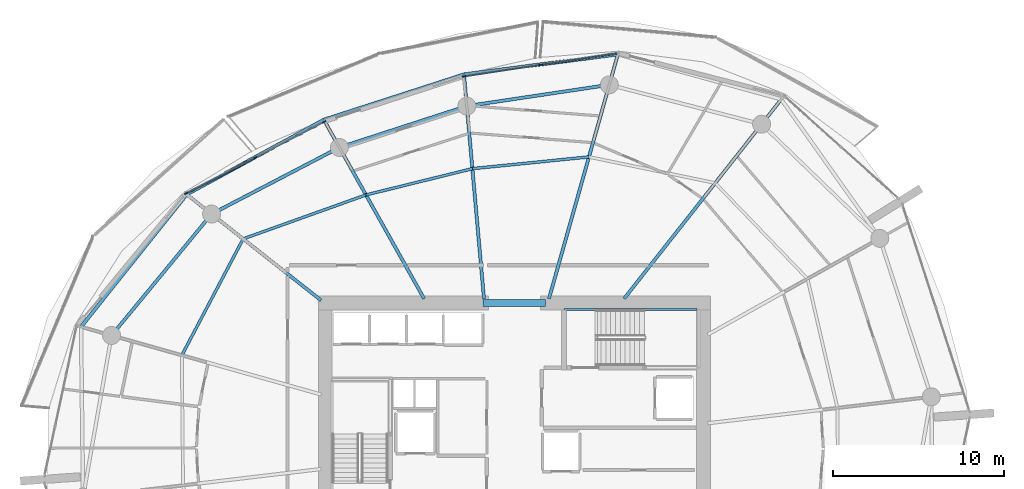
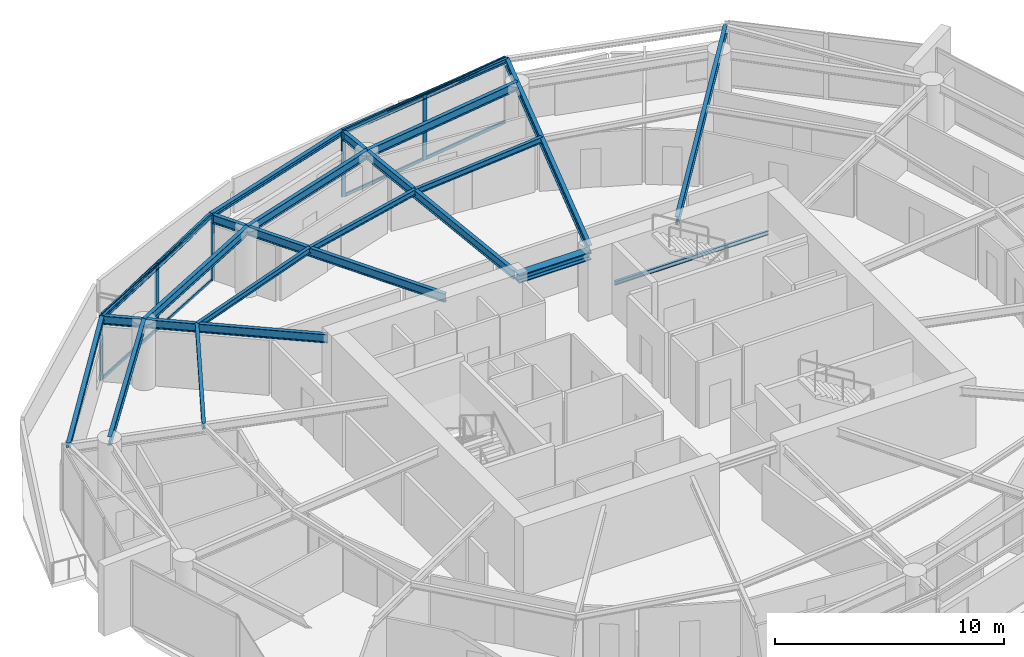
# One storey, part 8 of 20: 19 beams, 13 members, 2 elements without a shape of their own.
"""IFC4 building model written with IfcOpenShell, lengths in metres."""

from ifc_helpers import new_model, si_unit, direction, frame, origin, origin_2d, place, context, subcontext, project, spatial, rectangle, i_section, extrude, material, layer, layer_set, material_profile, profile_set, type_object, element, aggregate, save


model = new_model("IFC4")

# Units and contexts
model_context = context("Model", 3, precision=1e-05, world=origin(), true_north=direction((0.0, 1.0)))
body_context = subcontext(model_context, "Body", "Model", "MODEL_VIEW")
ifc_project = project(units=[si_unit("LENGTHUNIT", "METRE"), si_unit("AREAUNIT", "SQUARE_METRE"), si_unit("VOLUMEUNIT", "CUBIC_METRE"), si_unit("PLANEANGLEUNIT", "RADIAN"), si_unit("MASSUNIT", "GRAM", prefix="KILO")], contexts=[model_context])

# Site, building, storey
site_placement = place(None, origin())
site = spatial("IfcSite", under=ifc_project, at=site_placement, CompositionType="ELEMENT")
building_placement = place(site_placement, origin())
building = spatial("IfcBuilding", under=site, at=building_placement, Name="Kazma Halo Residences", CompositionType="ELEMENT")
storey_placement = place(building_placement, frame((0.0, 0.0, 150.300048828125)))
storey = spatial("IfcBuildingStorey", under=building, at=storey_placement, Name="L37", CompositionType="ELEMENT", Elevation=150.300048828125)

# Beams
ifc_material_1 = material(Name="Steel S355", Category="steel")
ifc_material_profile_1 = material_profile(ifc_material_1, i_section(OverallWidth=0.201904296875, OverallDepth=0.2470703125, WebThickness=0.00732421875, FlangeThickness=0.010986328125, FilletRadius=0.011962890625, at=origin_2d()), Name="W250x49.1")
ifc_profile_set_1 = profile_set([ifc_material_profile_1], Name="Steel S355")
beam_type_1 = type_object("IfcBeamType", Name="BM-BAL-CANT", PredefinedType="BEAM", material=ifc_profile_set_1)
beam_1_placement = place(storey_placement, frame((54.459228515625, 64.90234375, 3.37646484375), z_axis=(-0.991489228614, -0.130188745839, 0.0), x_axis=(0.130188745839, -0.991489228614, 0.0)))
element("IfcBeam", 1, at=beam_1_placement, inside=storey, type_object=beam_type_1, Name="L37 wave-balcony tie beam 03", PredefinedType="BEAM", context=body_context, shape_type="SweptSolid", body=[
    extrude(i_section(OverallWidth=0.201904296875, OverallDepth=0.2470703125, WebThickness=0.00732421875, FlangeThickness=0.010986328125, FilletRadius=0.011962890625, at=origin_2d()), origin(), (0.0, 0.0, 1.0), 9.053955078125),
])
beam_2_placement = place(storey_placement, frame((45.482421875, 63.7236328125, 3.37646484375), z_axis=(-0.951458235255, -0.307777885115, 0.0), x_axis=(0.307777885115, -0.951458235255, 0.0)))
element("IfcBeam", 2, at=beam_2_placement, inside=storey, type_object=beam_type_1, Name="L37 wave-balcony tie beam 04", PredefinedType="BEAM", context=body_context, shape_type="SweptSolid", body=[
    extrude(i_section(OverallWidth=0.201904296875, OverallDepth=0.2470703125, WebThickness=0.00732421875, FlangeThickness=0.010986328125, FilletRadius=0.011962890625, at=origin_2d()), origin(), (0.0, 0.0, 1.0), 8.585205078125),
])
beam_3_placement = place(storey_placement, frame((37.31396484375, 61.081298828125, 3.37646484375), z_axis=(-0.878572913315, -0.477608245312, 0.0), x_axis=(0.477608245312, -0.878572913315, 0.0)))
element("IfcBeam", 3, at=beam_3_placement, inside=storey, type_object=beam_type_1, Name="L37 wave-balcony tie beam 05", PredefinedType="BEAM", context=body_context, shape_type="SweptSolid", body=[
    extrude(i_section(OverallWidth=0.201904296875, OverallDepth=0.2470703125, WebThickness=0.00732421875, FlangeThickness=0.010986328125, FilletRadius=0.011962890625, at=origin_2d()), origin(), (0.0, 0.0, 1.0), 9.107177734375),
])
beam_4_placement = place(storey_placement, frame((29.312744140625, 56.731689453125, 3.37646484375), z_axis=(-0.623742400336, -0.781629975131, 0.0), x_axis=(0.781629975131, -0.623742400336, 0.0)))
element("IfcBeam", 4, at=beam_4_placement, inside=storey, type_object=beam_type_1, Name="L37 wave-balcony tie beam 06", PredefinedType="BEAM", context=body_context, shape_type="SweptSolid", body=[
    extrude(i_section(OverallWidth=0.201904296875, OverallDepth=0.2470703125, WebThickness=0.00732421875, FlangeThickness=0.010986328125, FilletRadius=0.011962890625, at=origin_2d()), origin(), (0.0, 0.0, 1.0), 9.880859375),
])
ifc_material_profile_2 = material_profile(ifc_material_1, i_section(OverallWidth=0.408935546875, OverallDepth=0.425048828125, WebThickness=0.03271484375, FlangeThickness=0.052490234375, FilletRadius=0.02001953125, at=origin_2d()), Name="W360x421")
ifc_profile_set_2 = profile_set([ifc_material_profile_2], Name="Steel S355")
beam_type_2 = type_object("IfcBeamType", Name="BM-CORE-W360H", PredefinedType="BEAM", material=ifc_profile_set_2)
beam_5_placement = place(storey_placement, frame((46.60009765625, 50.39990234375, 3.287353515625), z_axis=(1.0, 0.0, 0.0), x_axis=(0.0, 1.0, 0.0)))
element("IfcBeam", 5, at=beam_5_placement, inside=storey, type_object=beam_type_2, Name="L37 core coupling beam N", PredefinedType="BEAM", context=body_context, shape_type="SweptSolid", body=[
    extrude(i_section(OverallWidth=0.408935546875, OverallDepth=0.425048828125, WebThickness=0.03271484375, FlangeThickness=0.052490234375, FilletRadius=0.02001953125, at=origin_2d()), origin(), (0.0, 0.0, 1.0), 3.64990234375),
])
ifc_material_profile_3 = material_profile(ifc_material_1, i_section(OverallWidth=0.18994140625, OverallDepth=0.45703125, WebThickness=0.009033203125, FlangeThickness=0.014404296875, FilletRadius=0.01611328125, at=origin_2d()), Name="W460x74")
ifc_profile_set_3 = profile_set([ifc_material_profile_3], Name="Steel S355")
beam_type_3 = type_object("IfcBeamType", Name="BM-RAD-W460", PredefinedType="BEAM", material=ifc_profile_set_3)
beam_6_placement = place(storey_placement, frame((54.819091796875, 50.64990234375, 3.271484375), z_axis=(0.619094498239, 0.785316498139, 0.0), x_axis=(-0.785316498139, 0.619094498239, 0.0)))
element("IfcBeam", 6, at=beam_6_placement, inside=storey, type_object=beam_type_3, Name="L37 radial floor beam 02", PredefinedType="BEAM", context=body_context, shape_type="SweptSolid", body=[
    extrude(i_section(OverallWidth=0.18994140625, OverallDepth=0.45703125, WebThickness=0.009033203125, FlangeThickness=0.014404296875, FilletRadius=0.01611328125, at=origin_2d()), origin(), (0.0, 0.0, 1.0), 14.80517578125),
])
beam_7_placement = place(storey_placement, frame((50.439697265625, 50.64990234375, 3.271484375), z_axis=(0.271435886816, 0.962456523355, 0.0), x_axis=(-0.962456523355, 0.271435886816, 0.0)))
element("IfcBeam", 7, at=beam_7_placement, inside=storey, type_object=beam_type_3, Name="L37 radial floor beam 03", PredefinedType="BEAM", context=body_context, shape_type="SweptSolid", body=[
    extrude(i_section(OverallWidth=0.18994140625, OverallDepth=0.45703125, WebThickness=0.009033203125, FlangeThickness=0.014404296875, FilletRadius=0.01611328125, at=origin_2d()), origin(), (0.0, 0.0, 1.0), 14.808349609375),
])
beam_8_placement = place(storey_placement, frame((46.64990234375, 50.64990234375, 3.271484375), z_axis=(-0.088945777727, 0.996036469525, 0.0), x_axis=(-0.996036469525, -0.088945777727, 0.0)))
element("IfcBeam", 8, at=beam_8_placement, inside=storey, type_object=beam_type_3, Name="L37 radial floor beam 04", PredefinedType="BEAM", context=body_context, shape_type="SweptSolid", body=[
    extrude(i_section(OverallWidth=0.18994140625, OverallDepth=0.45703125, WebThickness=0.009033203125, FlangeThickness=0.014404296875, FilletRadius=0.01611328125, at=origin_2d()), origin(), (0.0, 0.0, 1.0), 13.125732421875),
])
beam_9_placement = place(storey_placement, frame((43.15576171875, 50.64990234375, 3.271484375), z_axis=(-0.488617048735, 0.872498355119, 0.0), x_axis=(-0.872498355119, -0.488617048735, 0.0)))
element("IfcBeam", 9, at=beam_9_placement, inside=storey, type_object=beam_type_3, Name="L37 radial floor beam 05", PredefinedType="BEAM", context=body_context, shape_type="SweptSolid", body=[
    extrude(i_section(OverallWidth=0.18994140625, OverallDepth=0.45703125, WebThickness=0.009033203125, FlangeThickness=0.014404296875, FilletRadius=0.01611328125, at=origin_2d()), origin(), (0.0, 0.0, 1.0), 11.955810546875),
])
beam_10_placement = place(storey_placement, frame((37.14990234375, 50.553466796875, 3.271484375), z_axis=(-0.785321544409, 0.619088097032, 0.0), x_axis=(-0.619088097032, -0.785321544409, 0.0)))
element("IfcBeam", 10, at=beam_10_placement, inside=storey, type_object=beam_type_3, Name="L37 radial floor beam 06", PredefinedType="BEAM", context=body_context, shape_type="SweptSolid", body=[
    extrude(i_section(OverallWidth=0.18994140625, OverallDepth=0.45703125, WebThickness=0.009033203125, FlangeThickness=0.014404296875, FilletRadius=0.01611328125, at=origin_2d()), origin(), (0.0, 0.0, 1.0), 9.9794921875),
])
ifc_material_profile_4 = material_profile(ifc_material_1, i_section(OverallWidth=0.1650390625, OverallDepth=0.31005859375, WebThickness=0.005859375, FlangeThickness=0.009765625, FilletRadius=0.011962890625, at=origin_2d()), Name="W310x38.7")
ifc_profile_set_4 = profile_set([ifc_material_profile_4], Name="Steel S355")
beam_type_4 = type_object("IfcBeamType", Name="BM-SEC-W310B", PredefinedType="JOIST", material=ifc_profile_set_4)
beam_11_placement = place(storey_placement, frame((52.77099609375, 58.91650390625, 3.344970703125), z_axis=(-0.994979001613, -0.100083896557, 0.0), x_axis=(0.100083896557, -0.994979001613, 0.0)))
element("IfcBeam", 11, at=beam_11_placement, inside=storey, type_object=beam_type_4, Name="L37 circumferential floor joist 03", PredefinedType="JOIST", context=body_context, shape_type="SweptSolid", body=[
    extrude(i_section(OverallWidth=0.1650390625, OverallDepth=0.31005859375, WebThickness=0.005859375, FlangeThickness=0.009765625, FilletRadius=0.011962890625, at=origin_2d()), origin(), (0.0, 0.0, 1.0), 6.832763671875),
])
beam_12_placement = place(storey_placement, frame((45.97265625, 58.232666015625, 3.344970703125), z_axis=(-0.970830601663, -0.239766434004, 0.0), x_axis=(0.239766434004, -0.970830601663, 0.0)))
element("IfcBeam", 12, at=beam_12_placement, inside=storey, type_object=beam_type_4, Name="L37 circumferential floor joist 04", PredefinedType="JOIST", context=body_context, shape_type="SweptSolid", body=[
    extrude(i_section(OverallWidth=0.1650390625, OverallDepth=0.31005859375, WebThickness=0.005859375, FlangeThickness=0.009765625, FilletRadius=0.011962890625, at=origin_2d()), origin(), (0.0, 0.0, 1.0), 6.3916015625),
])
beam_13_placement = place(storey_placement, frame((39.767578125, 56.7001953125, 3.344970703125), z_axis=(-0.941534087973, -0.336917736525, 0.0), x_axis=(0.336917736525, -0.941534087973, 0.0)))
element("IfcBeam", 13, at=beam_13_placement, inside=storey, type_object=beam_type_4, Name="L37 circumferential floor joist 05", PredefinedType="JOIST", context=body_context, shape_type="SweptSolid", body=[
    extrude(i_section(OverallWidth=0.1650390625, OverallDepth=0.31005859375, WebThickness=0.005859375, FlangeThickness=0.009765625, FilletRadius=0.011962890625, at=origin_2d()), origin(), (0.0, 0.0, 1.0), 7.60791015625),
])
beam_14_placement = place(storey_placement, frame((32.6044921875, 54.136962890625, 3.344970703125), z_axis=(-0.466019257875, -0.884774576539, 0.0), x_axis=(0.884774576539, -0.466019257875, 0.0)))
element("IfcBeam", 14, at=beam_14_placement, inside=storey, type_object=beam_type_4, Name="L37 circumferential floor joist 06", PredefinedType="JOIST", context=body_context, shape_type="SweptSolid", body=[
    extrude(i_section(OverallWidth=0.1650390625, OverallDepth=0.31005859375, WebThickness=0.005859375, FlangeThickness=0.009765625, FilletRadius=0.011962890625, at=origin_2d()), origin(), (0.0, 0.0, 1.0), 7.670654296875),
])
ifc_material_profile_5 = material_profile(ifc_material_1, i_section(OverallWidth=0.18994140625, OverallDepth=0.45703125, WebThickness=0.009033203125, FlangeThickness=0.014404296875, FilletRadius=0.01611328125, at=origin_2d()), Name="W460x74")
ifc_profile_set_5 = profile_set([ifc_material_profile_5], Name="Steel S355")
beam_type_5 = type_object("IfcBeamType", Name="BM-SPN-W460", PredefinedType="BEAM", material=ifc_profile_set_5)
beam_15_placement = place(storey_placement, frame((53.95703125, 63.121826171875, 3.271484375), z_axis=(-0.989037147603, -0.147666924735, 0.0), x_axis=(0.147666924735, -0.989037147603, 0.0)))
element("IfcBeam", 15, at=beam_15_placement, inside=storey, type_object=beam_type_5, Name="L37 perimeter ring beam 03", PredefinedType="BEAM", context=body_context, shape_type="SweptSolid", body=[
    extrude(i_section(OverallWidth=0.18994140625, OverallDepth=0.45703125, WebThickness=0.009033203125, FlangeThickness=0.014404296875, FilletRadius=0.01611328125, at=origin_2d()), origin(), (0.0, 0.0, 1.0), 8.402099609375),
])
beam_16_placement = place(storey_placement, frame((45.64697265625, 61.881103515625, 3.271484375), z_axis=(-0.95105634578, -0.309017519167, 0.0), x_axis=(0.309017519167, -0.95105634578, 0.0)))
element("IfcBeam", 16, at=beam_16_placement, inside=storey, type_object=beam_type_5, Name="L37 perimeter ring beam 04", PredefinedType="BEAM", context=body_context, shape_type="SweptSolid", body=[
    extrude(i_section(OverallWidth=0.18994140625, OverallDepth=0.45703125, WebThickness=0.009033203125, FlangeThickness=0.014404296875, FilletRadius=0.01611328125, at=origin_2d()), origin(), (0.0, 0.0, 1.0), 7.811279296875),
])
beam_17_placement = place(storey_placement, frame((38.218017578125, 59.46728515625, 3.271484375), z_axis=(-0.886943099021, -0.461878706046, 0.0), x_axis=(0.461878706046, -0.886943099021, 0.0)))
element("IfcBeam", 17, at=beam_17_placement, inside=storey, type_object=beam_type_5, Name="L37 perimeter ring beam 05", PredefinedType="BEAM", context=body_context, shape_type="SweptSolid", body=[
    extrude(i_section(OverallWidth=0.18994140625, OverallDepth=0.45703125, WebThickness=0.009033203125, FlangeThickness=0.014404296875, FilletRadius=0.01611328125, at=origin_2d()), origin(), (0.0, 0.0, 1.0), 8.40234375),
])
beam_18_placement = place(storey_placement, frame((30.765625, 55.58642578125, 3.271484375), z_axis=(-0.636018723515, -0.771673624882, 0.0), x_axis=(0.771673624882, -0.636018723515, 0.0)))
element("IfcBeam", 18, at=beam_18_placement, inside=storey, type_object=beam_type_5, Name="L37 perimeter ring beam 06", PredefinedType="BEAM", context=body_context, shape_type="SweptSolid", body=[
    extrude(i_section(OverallWidth=0.18994140625, OverallDepth=0.45703125, WebThickness=0.009033203125, FlangeThickness=0.014404296875, FilletRadius=0.01611328125, at=origin_2d()), origin(), (0.0, 0.0, 1.0), 9.175048828125),
])
ifc_material_profile_6 = material_profile(ifc_material_1, i_section(OverallWidth=0.133056640625, OverallDepth=0.20703125, WebThickness=0.005859375, FlangeThickness=0.00830078125, FilletRadius=0.010009765625, at=origin_2d()), Name="W200x26.6")
ifc_profile_set_6 = profile_set([ifc_material_profile_6], Name="Steel S355")
beam_type_6 = type_object("IfcBeamType", Name="BM-TRIM-W200", PredefinedType="BEAM", material=ifc_profile_set_6)
beam_19_placement = place(storey_placement, frame((51.31005859375, 50.02001953125, 1.570068359375), z_axis=(1.0, 0.0, 0.0), x_axis=(0.0, 1.0, 0.0)))
element("IfcBeam", 19, at=beam_19_placement, inside=storey, type_object=beam_type_6, Name="L37 ST-02 landing north wall ledger", PredefinedType="BEAM", context=body_context, shape_type="SweptSolid", body=[
    extrude(i_section(OverallWidth=0.133056640625, OverallDepth=0.20703125, WebThickness=0.005859375, FlangeThickness=0.00830078125, FilletRadius=0.010009765625, at=origin_2d()), origin(), (0.0, 0.0, 1.0), 7.760009765625),
])

# Curtain wall, members
ifc_material_2 = material(Name="Aluminium AW-6063 T6 and Triple-Silver Low-E Glass", Category="aluminium")
ifc_layer = layer(ifc_material_2, 0.219970703125)
ifc_layer_set = layer_set([ifc_layer], Name="Aluminium AW-6063 T6 and Triple-Silver Low-E Glass")
curtain_wall_type = type_object("IfcCurtainWallType", Name="CW-SYS-4", PredefinedType="NOTDEFINED", material=ifc_layer_set)
curtain_wall_1_placement = place(storey_placement, origin())
curtain_wall_1 = element("IfcCurtainWall", 20, at=curtain_wall_1_placement, inside=storey, type_object=curtain_wall_type, Name="L37 unitised curtain wall B03", PredefinedType="NOTDEFINED")
ifc_material_3 = material(Name="Aluminium AW-6063 T6", Category="aluminium")
ifc_material_profile_7 = material_profile(ifc_material_3, rectangle(XDim=0.074951171875, YDim=0.219970703125, at=origin_2d()), Name="CWM-75x220")
ifc_profile_set_7 = profile_set([ifc_material_profile_7], Name="Aluminium AW-6063 T6")
member_type_1 = type_object("IfcMemberType", Name="CW-SYS-4-MUL", PredefinedType="MULLION", material=ifc_profile_set_7)
member_1_placement = place(storey_placement, frame((49.960205078125, 64.28857421875, 0.0), z_axis=(0.0, 0.0, 1.0), x_axis=(0.148821022686, -0.988864148004, 0.0)))
member_1 = element("IfcMember", 21, at=member_1_placement, type_object=member_type_1, Name="CWS-4 mullion 2", PredefinedType="MULLION", context=body_context, shape_type="SweptSolid", body=[
    extrude(rectangle(XDim=0.074951171875, YDim=0.219970703125, at=origin_2d()), origin(), (0.0, 0.0, 1.0), 3.5),
])
member_2_placement = place(storey_placement, frame((45.4794921875, 63.6142578125, 0.0), z_axis=(0.0, 0.0, 1.0), x_axis=(0.148821022686, -0.988864148004, 0.0)))
member_2 = element("IfcMember", 22, at=member_2_placement, type_object=member_type_1, Name="CWS-4 mullion 3", PredefinedType="MULLION", context=body_context, shape_type="SweptSolid", body=[
    extrude(rectangle(XDim=0.074951171875, YDim=0.219970703125, at=origin_2d()), origin(), (0.0, 0.0, 1.0), 3.5),
])

curtain_wall_2_placement = place(storey_placement, origin())
curtain_wall_2 = element("IfcCurtainWall", 23, at=curtain_wall_2_placement, inside=storey, type_object=curtain_wall_type, Name="L37 unitised curtain wall B05", PredefinedType="NOTDEFINED")
member_3_placement = place(storey_placement, frame((37.33447265625, 60.9677734375, 0.0), z_axis=(0.0, 0.0, 1.0), x_axis=(0.460837484552, -0.887484542306, 0.0)))
member_3 = element("IfcMember", 24, at=member_3_placement, type_object=member_type_1, Name="CWS-4 mullion 1", PredefinedType="MULLION", context=body_context, shape_type="SweptSolid", body=[
    extrude(rectangle(XDim=0.074951171875, YDim=0.219970703125, at=origin_2d()), origin(), (0.0, 0.0, 1.0), 3.5),
])
member_4_placement = place(storey_placement, frame((33.313232421875, 58.879638671875, 0.0), z_axis=(0.0, 0.0, 1.0), x_axis=(0.460837484552, -0.887484542306, 0.0)))
member_4 = element("IfcMember", 25, at=member_4_placement, type_object=member_type_1, Name="CWS-4 mullion 2", PredefinedType="MULLION", context=body_context, shape_type="SweptSolid", body=[
    extrude(rectangle(XDim=0.074951171875, YDim=0.219970703125, at=origin_2d()), origin(), (0.0, 0.0, 1.0), 3.5),
])
member_5_placement = place(storey_placement, frame((29.2919921875, 56.791748046875, 0.0), z_axis=(0.0, 0.0, 1.0), x_axis=(0.460837484552, -0.887484542306, 0.0)))
member_5 = element("IfcMember", 26, at=member_5_placement, type_object=member_type_1, Name="CWS-4 mullion 3", PredefinedType="MULLION", context=body_context, shape_type="SweptSolid", body=[
    extrude(rectangle(XDim=0.074951171875, YDim=0.219970703125, at=origin_2d()), origin(), (0.0, 0.0, 1.0), 3.5),
])

# Member
ifc_material_profile_8 = material_profile(ifc_material_3, rectangle(XDim=0.074951171875, YDim=0.1650390625, at=origin_2d()), Name="CWT-75x165")
ifc_profile_set_8 = profile_set([ifc_material_profile_8], Name="Aluminium AW-6063 T6")
member_type_2 = type_object("IfcMemberType", Name="CW-SYS-4-TRN", PredefinedType="USERDEFINED", material=ifc_profile_set_8)
member_6_placement = place(storey_placement, frame((54.403564453125, 64.957275390625, 0.037353515625), z_axis=(-0.988866721231, -0.148803923478, 0.0), x_axis=(0.148803923478, -0.988866721231, 0.0)))
member_6 = element("IfcMember", 27, at=member_6_placement, type_object=member_type_2, Name="CWS-4 transom 1.1", ObjectType="TRANSOM", PredefinedType="USERDEFINED", context=body_context, shape_type="SweptSolid", body=[
    extrude(rectangle(XDim=0.074951171875, YDim=0.1650390625, at=origin_2d()), origin(), (0.0, 0.0, 1.0), 4.4560546875),
])

member_7_placement = place(storey_placement, frame((54.403564453125, 64.957275390625, 3.46240234375), z_axis=(-0.988866721231, -0.148803923478, 0.0), x_axis=(0.148803923478, -0.988866721231, 0.0)))
member_7 = element("IfcMember", 28, at=member_7_placement, type_object=member_type_2, Name="CWS-4 transom 1.2", ObjectType="TRANSOM", PredefinedType="USERDEFINED", context=body_context, shape_type="SweptSolid", body=[
    extrude(rectangle(XDim=0.074951171875, YDim=0.1650390625, at=origin_2d()), origin(), (0.0, 0.0, 1.0), 4.4560546875),
])

member_8_placement = place(storey_placement, frame((49.923095703125, 64.282958984375, 0.037353515625), z_axis=(-0.988866721231, -0.148803923478, 0.0), x_axis=(0.148803923478, -0.988866721231, 0.0)))
member_8 = element("IfcMember", 29, at=member_8_placement, type_object=member_type_2, Name="CWS-4 transom 2.1", ObjectType="TRANSOM", PredefinedType="USERDEFINED", context=body_context, shape_type="SweptSolid", body=[
    extrude(rectangle(XDim=0.074951171875, YDim=0.1650390625, at=origin_2d()), origin(), (0.0, 0.0, 1.0), 4.4560546875),
])

member_9_placement = place(storey_placement, frame((49.923095703125, 64.282958984375, 3.46240234375), z_axis=(-0.988866721231, -0.148803923478, 0.0), x_axis=(0.148803923478, -0.988866721231, 0.0)))
member_9 = element("IfcMember", 30, at=member_9_placement, type_object=member_type_2, Name="CWS-4 transom 2.2", ObjectType="TRANSOM", PredefinedType="USERDEFINED", context=body_context, shape_type="SweptSolid", body=[
    extrude(rectangle(XDim=0.074951171875, YDim=0.1650390625, at=origin_2d()), origin(), (0.0, 0.0, 1.0), 4.4560546875),
])

aggregate(curtain_wall_1, [member_1, member_2, member_6, member_7, member_8, member_9])

member_10_placement = place(storey_placement, frame((37.30126953125, 60.950439453125, 0.037353515625), z_axis=(-0.887484872803, -0.460836848077, 0.0), x_axis=(0.460836848077, -0.887484872803, 0.0)))
member_10 = element("IfcMember", 31, at=member_10_placement, type_object=member_type_2, Name="CWS-4 transom 1.1", ObjectType="TRANSOM", PredefinedType="USERDEFINED", context=body_context, shape_type="SweptSolid", body=[
    extrude(rectangle(XDim=0.074951171875, YDim=0.1650390625, at=origin_2d()), origin(), (0.0, 0.0, 1.0), 4.4560546875),
])

member_11_placement = place(storey_placement, frame((37.30126953125, 60.950439453125, 3.46240234375), z_axis=(-0.887484872803, -0.460836848077, 0.0), x_axis=(0.460836848077, -0.887484872803, 0.0)))
member_11 = element("IfcMember", 32, at=member_11_placement, type_object=member_type_2, Name="CWS-4 transom 1.2", ObjectType="TRANSOM", PredefinedType="USERDEFINED", context=body_context, shape_type="SweptSolid", body=[
    extrude(rectangle(XDim=0.074951171875, YDim=0.1650390625, at=origin_2d()), origin(), (0.0, 0.0, 1.0), 4.4560546875),
])

member_12_placement = place(storey_placement, frame((33.280029296875, 58.862548828125, 0.037353515625), z_axis=(-0.887484872803, -0.460836848077, 0.0), x_axis=(0.460836848077, -0.887484872803, 0.0)))
member_12 = element("IfcMember", 33, at=member_12_placement, type_object=member_type_2, Name="CWS-4 transom 2.1", ObjectType="TRANSOM", PredefinedType="USERDEFINED", context=body_context, shape_type="SweptSolid", body=[
    extrude(rectangle(XDim=0.074951171875, YDim=0.1650390625, at=origin_2d()), origin(), (0.0, 0.0, 1.0), 4.4560546875),
])

member_13_placement = place(storey_placement, frame((33.280029296875, 58.862548828125, 3.46240234375), z_axis=(-0.887484872803, -0.460836848077, 0.0), x_axis=(0.460836848077, -0.887484872803, 0.0)))
member_13 = element("IfcMember", 34, at=member_13_placement, type_object=member_type_2, Name="CWS-4 transom 2.2", ObjectType="TRANSOM", PredefinedType="USERDEFINED", context=body_context, shape_type="SweptSolid", body=[
    extrude(rectangle(XDim=0.074951171875, YDim=0.1650390625, at=origin_2d()), origin(), (0.0, 0.0, 1.0), 4.4560546875),
])

aggregate(curtain_wall_2, [member_3, member_4, member_5, member_10, member_11, member_12, member_13])

save(model, "model.ifc")
